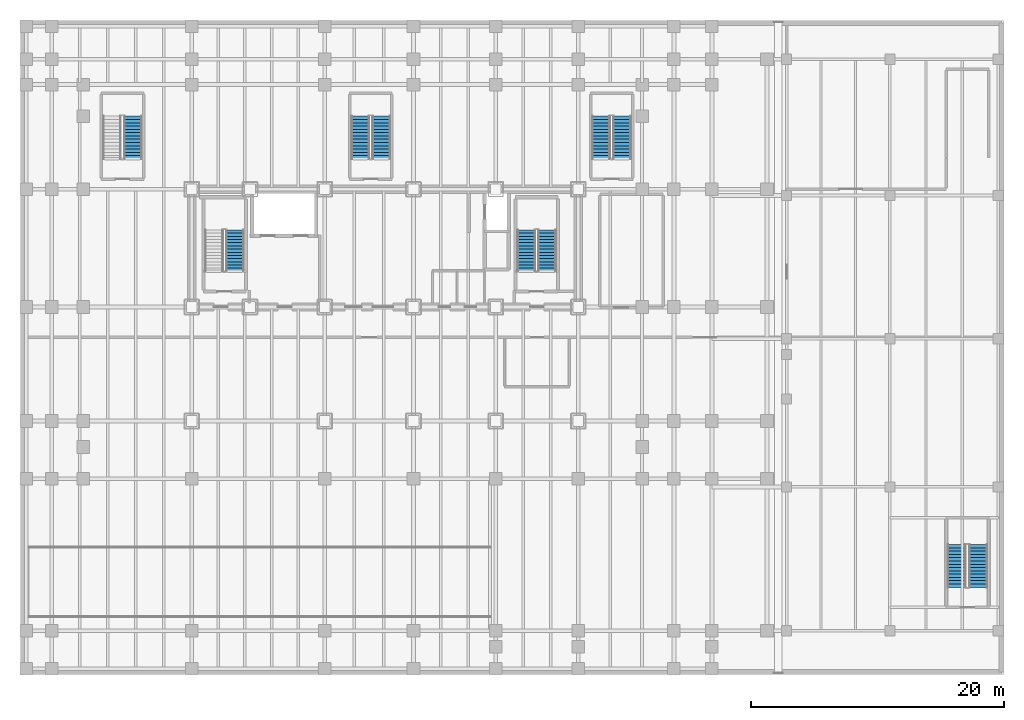
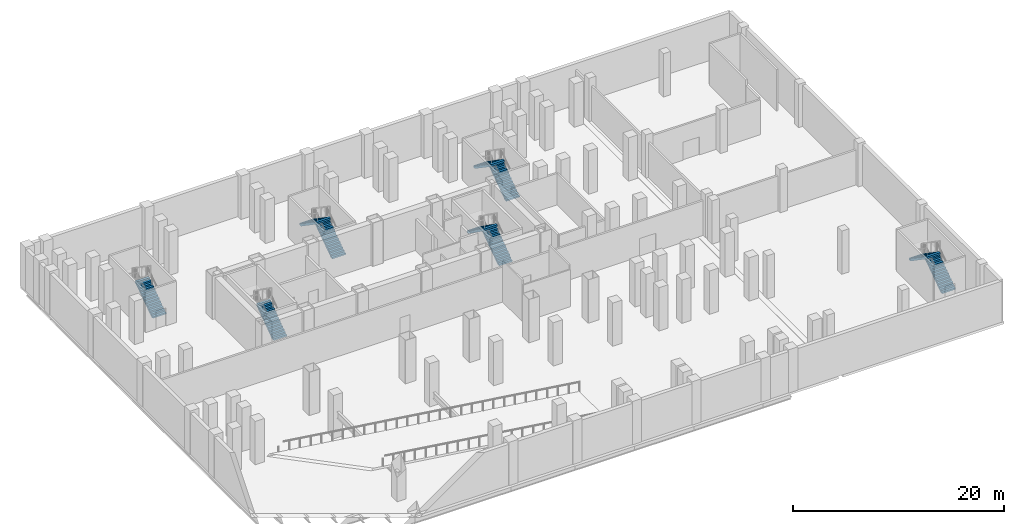
# One storey, part 11 of 18: 10 stair flights, 6 elements without a shape of their own.
"""IFC4 building model written with IfcOpenShell, lengths in metres."""

from ifc_helpers import new_model, si_unit, direction, frame, origin, place, context, subcontext, project, spatial, polyline, outline, extrude, material, type_object, element, aggregate, save


model = new_model("IFC4")

# Units and contexts
model_context = context("Model", 3, precision=1e-05, world=origin(), true_north=direction((0.0, 1.0)))
body_context = subcontext(model_context, "Body", "Model", "MODEL_VIEW")
ifc_project = project(units=[si_unit("LENGTHUNIT", "METRE"), si_unit("AREAUNIT", "SQUARE_METRE"), si_unit("VOLUMEUNIT", "CUBIC_METRE"), si_unit("PLANEANGLEUNIT", "RADIAN"), si_unit("MASSUNIT", "GRAM", prefix="KILO")], contexts=[model_context])

# Site, building, storey
site_placement = place(None, origin())
site = spatial("IfcSite", under=ifc_project, at=site_placement, CompositionType="ELEMENT")
building_placement = place(site_placement, origin())
building = spatial("IfcBuilding", under=site, at=building_placement, Name="Noeulbin Bourse Tower", CompositionType="ELEMENT")
storey_placement = place(building_placement, frame((0.0, 0.0, -5.0)))
storey = spatial("IfcBuildingStorey", under=building, at=storey_placement, Name="B01", CompositionType="ELEMENT", Elevation=-5.0)

# Stair, stair flight
ifc_material = material(Name="Concrete C40/50", Category="concrete")
stair_type_1 = type_object("IfcStairType", Name="STR-AUX-1620", PredefinedType="HALF_TURN_STAIR", material=ifc_material)
stair_1_placement = place(storey_placement, origin())
stair_1 = element("IfcStair", 1, at=stair_1_placement, inside=storey, type_object=stair_type_1, Name="B01 ST-S1", PredefinedType="HALF_TURN_STAIR")
stair_flight_type_1 = type_object("IfcStairFlightType", Name="SFL-AUX-1620", PredefinedType="STRAIGHT", material=ifc_material)
stair_flight_1_placement = place(storey_placement, frame((8.8701171875, 40.679931640625, 0.0), z_axis=(0.0, 0.0, 1.0), x_axis=(0.0, 1.0, 0.0)))
stair_flight_1 = element("IfcStairFlight", 2, at=stair_flight_1_placement, type_object=stair_flight_type_1, Name="ST-S1 flight 1", NumberOfRisers=14, NumberOfTreads=13, PredefinedType="STRAIGHT", RiserHeight=0.178571429, TreadLength=0.26, context=body_context, shape_type="SweptSolid", body=[
    extrude(outline(polyline([(0.0, 0.0), (0.0, 0.178466796875), (0.260009765625, 0.178466796875), (0.260009765625, 0.357177734375), (0.52001953125, 0.357177734375), (0.52001953125, 0.53564453125), (0.780029296875, 0.53564453125), (0.780029296875, 0.71435546875), (1.0400390625, 0.71435546875), (1.0400390625, 0.892822265625), (1.300048828125, 0.892822265625), (1.300048828125, 1.071533203125), (1.56005859375, 1.071533203125), (1.56005859375, 1.25), (1.820068359375, 1.25), (1.820068359375, 1.428466796875), (2.080078125, 1.428466796875), (2.080078125, 1.607177734375), (2.340087890625, 1.607177734375), (2.340087890625, 1.78564453125), (2.60009765625, 1.78564453125), (2.60009765625, 1.96435546875), (2.860107421875, 1.96435546875), (2.860107421875, 2.142822265625), (3.1201171875, 2.142822265625), (3.1201171875, 2.321533203125), (3.3798828125, 2.321533203125), (3.3798828125, 2.5), (3.3798828125, 2.10302734375), (0.31787109375, 0.0), (0.0, 0.0)])), frame((0.0, 0.72998046875, 0.0), z_axis=(0.0, -1.0, 0.0), x_axis=(1.0, 0.0, 0.0)), (0.0, 0.0, 1.0), 1.4599609375),
])
aggregate(stair_1, [stair_flight_1])

# Stair, stair flights
stair_2_placement = place(storey_placement, origin())
stair_2 = element("IfcStair", 3, at=stair_2_placement, inside=storey, type_object=stair_type_1, Name="B01 ST-S2", PredefinedType="HALF_TURN_STAIR")
stair_flight_2_placement = place(storey_placement, frame((28.469970703125, 40.679931640625, 0.0), z_axis=(0.0, 0.0, 1.0), x_axis=(0.0, 1.0, 0.0)))
stair_flight_2 = element("IfcStairFlight", 4, at=stair_flight_2_placement, type_object=stair_flight_type_1, Name="ST-S2 flight 1", NumberOfRisers=14, NumberOfTreads=13, PredefinedType="STRAIGHT", RiserHeight=0.178571429, TreadLength=0.26, context=body_context, shape_type="SweptSolid", body=[
    extrude(outline(polyline([(0.0, 0.0), (0.0, 0.178466796875), (0.260009765625, 0.178466796875), (0.260009765625, 0.357177734375), (0.52001953125, 0.357177734375), (0.52001953125, 0.53564453125), (0.780029296875, 0.53564453125), (0.780029296875, 0.71435546875), (1.0400390625, 0.71435546875), (1.0400390625, 0.892822265625), (1.300048828125, 0.892822265625), (1.300048828125, 1.071533203125), (1.56005859375, 1.071533203125), (1.56005859375, 1.25), (1.820068359375, 1.25), (1.820068359375, 1.428466796875), (2.080078125, 1.428466796875), (2.080078125, 1.607177734375), (2.340087890625, 1.607177734375), (2.340087890625, 1.78564453125), (2.60009765625, 1.78564453125), (2.60009765625, 1.96435546875), (2.860107421875, 1.96435546875), (2.860107421875, 2.142822265625), (3.1201171875, 2.142822265625), (3.1201171875, 2.321533203125), (3.3798828125, 2.321533203125), (3.3798828125, 2.5), (3.3798828125, 2.10302734375), (0.31787109375, 0.0), (0.0, 0.0)])), frame((0.0, 0.72998046875, 0.0), z_axis=(0.0, -1.0, 0.0), x_axis=(1.0, 0.0, 0.0)), (0.0, 0.0, 1.0), 1.4599609375),
])
stair_flight_3_placement = place(storey_placement, frame((26.81005859375, 44.06005859375, 2.5), z_axis=(0.0, 0.0, 1.0), x_axis=(0.0, -1.0, 0.0)))
stair_flight_3 = element("IfcStairFlight", 5, at=stair_flight_3_placement, type_object=stair_flight_type_1, Name="ST-S2 flight 2", NumberOfRisers=14, NumberOfTreads=13, PredefinedType="STRAIGHT", RiserHeight=0.178571429, TreadLength=0.26, context=body_context, shape_type="SweptSolid", body=[
    extrude(outline(polyline([(0.0, 0.0), (0.0, 0.178466796875), (0.260009765625, 0.178466796875), (0.260009765625, 0.357177734375), (0.52001953125, 0.357177734375), (0.52001953125, 0.53564453125), (0.780029296875, 0.53564453125), (0.780029296875, 0.71435546875), (1.0400390625, 0.71435546875), (1.0400390625, 0.892822265625), (1.300048828125, 0.892822265625), (1.300048828125, 1.071533203125), (1.56005859375, 1.071533203125), (1.56005859375, 1.25), (1.820068359375, 1.25), (1.820068359375, 1.428466796875), (2.080078125, 1.428466796875), (2.080078125, 1.607177734375), (2.340087890625, 1.607177734375), (2.340087890625, 1.78564453125), (2.60009765625, 1.78564453125), (2.60009765625, 1.96435546875), (2.860107421875, 1.96435546875), (2.860107421875, 2.142822265625), (3.1201171875, 2.142822265625), (3.1201171875, 2.321533203125), (3.3798828125, 2.321533203125), (3.3798828125, 2.5), (3.3798828125, 2.10302734375), (0.31787109375, 0.0), (0.0, 0.0)])), frame((0.0, 0.72998046875, 0.0), z_axis=(0.0, -1.0, 0.0), x_axis=(1.0, 0.0, 0.0)), (0.0, 0.0, 1.0), 1.4599609375),
])
aggregate(stair_2, [stair_flight_2, stair_flight_3])

stair_3_placement = place(storey_placement, origin())
stair_3 = element("IfcStair", 6, at=stair_3_placement, inside=storey, type_object=stair_type_1, Name="B01 ST-S3", PredefinedType="HALF_TURN_STAIR")
stair_flight_4_placement = place(storey_placement, frame((47.469970703125, 40.679931640625, 0.0), z_axis=(0.0, 0.0, 1.0), x_axis=(0.0, 1.0, 0.0)))
stair_flight_4 = element("IfcStairFlight", 7, at=stair_flight_4_placement, type_object=stair_flight_type_1, Name="ST-S3 flight 1", NumberOfRisers=14, NumberOfTreads=13, PredefinedType="STRAIGHT", RiserHeight=0.178571429, TreadLength=0.26, context=body_context, shape_type="SweptSolid", body=[
    extrude(outline(polyline([(0.0, 0.0), (0.0, 0.178466796875), (0.260009765625, 0.178466796875), (0.260009765625, 0.357177734375), (0.52001953125, 0.357177734375), (0.52001953125, 0.53564453125), (0.780029296875, 0.53564453125), (0.780029296875, 0.71435546875), (1.0400390625, 0.71435546875), (1.0400390625, 0.892822265625), (1.300048828125, 0.892822265625), (1.300048828125, 1.071533203125), (1.56005859375, 1.071533203125), (1.56005859375, 1.25), (1.820068359375, 1.25), (1.820068359375, 1.428466796875), (2.080078125, 1.428466796875), (2.080078125, 1.607177734375), (2.340087890625, 1.607177734375), (2.340087890625, 1.78564453125), (2.60009765625, 1.78564453125), (2.60009765625, 1.96435546875), (2.860107421875, 1.96435546875), (2.860107421875, 2.142822265625), (3.1201171875, 2.142822265625), (3.1201171875, 2.321533203125), (3.3798828125, 2.321533203125), (3.3798828125, 2.5), (3.3798828125, 2.10302734375), (0.31787109375, 0.0), (0.0, 0.0)])), frame((0.0, 0.72998046875, 0.0), z_axis=(0.0, -1.0, 0.0), x_axis=(1.0, 0.0, 0.0)), (0.0, 0.0, 1.0), 1.4599609375),
])
stair_flight_5_placement = place(storey_placement, frame((45.81005859375, 44.06005859375, 2.5), z_axis=(0.0, 0.0, 1.0), x_axis=(0.0, -1.0, 0.0)))
stair_flight_5 = element("IfcStairFlight", 8, at=stair_flight_5_placement, type_object=stair_flight_type_1, Name="ST-S3 flight 2", NumberOfRisers=14, NumberOfTreads=13, PredefinedType="STRAIGHT", RiserHeight=0.178571429, TreadLength=0.26, context=body_context, shape_type="SweptSolid", body=[
    extrude(outline(polyline([(0.0, 0.0), (0.0, 0.178466796875), (0.260009765625, 0.178466796875), (0.260009765625, 0.357177734375), (0.52001953125, 0.357177734375), (0.52001953125, 0.53564453125), (0.780029296875, 0.53564453125), (0.780029296875, 0.71435546875), (1.0400390625, 0.71435546875), (1.0400390625, 0.892822265625), (1.300048828125, 0.892822265625), (1.300048828125, 1.071533203125), (1.56005859375, 1.071533203125), (1.56005859375, 1.25), (1.820068359375, 1.25), (1.820068359375, 1.428466796875), (2.080078125, 1.428466796875), (2.080078125, 1.607177734375), (2.340087890625, 1.607177734375), (2.340087890625, 1.78564453125), (2.60009765625, 1.78564453125), (2.60009765625, 1.96435546875), (2.860107421875, 1.96435546875), (2.860107421875, 2.142822265625), (3.1201171875, 2.142822265625), (3.1201171875, 2.321533203125), (3.3798828125, 2.321533203125), (3.3798828125, 2.5), (3.3798828125, 2.10302734375), (0.31787109375, 0.0), (0.0, 0.0)])), frame((0.0, 0.72998046875, 0.0), z_axis=(0.0, -1.0, 0.0), x_axis=(1.0, 0.0, 0.0)), (0.0, 0.0, 1.0), 1.4599609375),
])
aggregate(stair_3, [stair_flight_4, stair_flight_5])

# Stair, stair flight
stair_type_2 = type_object("IfcStairType", Name="STR-CORE-1560", PredefinedType="HALF_TURN_STAIR", material=ifc_material)
stair_4_placement = place(storey_placement, origin())
stair_4 = element("IfcStair", 9, at=stair_4_placement, inside=storey, type_object=stair_type_2, Name="B01 ST-1", PredefinedType="HALF_TURN_STAIR")
stair_flight_type_2 = type_object("IfcStairFlightType", Name="SFL-CORE-1560", PredefinedType="STRAIGHT", material=ifc_material)
stair_flight_6_placement = place(storey_placement, frame((16.925048828125, 31.81005859375, 0.0), z_axis=(0.0, 0.0, 1.0), x_axis=(0.0, 1.0, 0.0)))
stair_flight_6 = element("IfcStairFlight", 10, at=stair_flight_6_placement, type_object=stair_flight_type_2, Name="ST-1 flight 1", NumberOfRisers=14, NumberOfTreads=13, PredefinedType="STRAIGHT", RiserHeight=0.178571429, TreadLength=0.252, context=body_context, shape_type="SweptSolid", body=[
    extrude(outline(polyline([(0.0, 0.0), (0.0, 0.178466796875), (0.251953125, 0.178466796875), (0.251953125, 0.357177734375), (0.50390625, 0.357177734375), (0.50390625, 0.53564453125), (0.756103515625, 0.53564453125), (0.756103515625, 0.71435546875), (1.008056640625, 0.71435546875), (1.008056640625, 0.892822265625), (1.260009765625, 0.892822265625), (1.260009765625, 1.071533203125), (1.511962890625, 1.071533203125), (1.511962890625, 1.25), (1.763916015625, 1.25), (1.763916015625, 1.428466796875), (2.01611328125, 1.428466796875), (2.01611328125, 1.607177734375), (2.26806640625, 1.607177734375), (2.26806640625, 1.78564453125), (2.52001953125, 1.78564453125), (2.52001953125, 1.96435546875), (2.77197265625, 1.96435546875), (2.77197265625, 2.142822265625), (3.02392578125, 2.142822265625), (3.02392578125, 2.321533203125), (3.27587890625, 2.321533203125), (3.27587890625, 2.5), (3.27587890625, 2.100830078125), (0.311279296875, 0.0), (0.0, 0.0)])), frame((0.0, 0.72509765625, 0.0), z_axis=(0.0, -1.0, 0.0), x_axis=(1.0, 0.0, 0.0)), (0.0, 0.0, 1.0), 1.449951171875),
])
aggregate(stair_4, [stair_flight_6])

# Stair, stair flights
stair_5_placement = place(storey_placement, origin())
stair_5 = element("IfcStair", 11, at=stair_5_placement, inside=storey, type_object=stair_type_2, Name="B01 ST-2", PredefinedType="HALF_TURN_STAIR")
stair_flight_7_placement = place(storey_placement, frame((41.554931640625, 31.81005859375, 0.0), z_axis=(0.0, 0.0, 1.0), x_axis=(0.0, 1.0, 0.0)))
stair_flight_7 = element("IfcStairFlight", 12, at=stair_flight_7_placement, type_object=stair_flight_type_2, Name="ST-2 flight 1", NumberOfRisers=14, NumberOfTreads=13, PredefinedType="STRAIGHT", RiserHeight=0.178571429, TreadLength=0.252, context=body_context, shape_type="SweptSolid", body=[
    extrude(outline(polyline([(0.0, 0.0), (0.0, 0.178466796875), (0.251953125, 0.178466796875), (0.251953125, 0.357177734375), (0.50390625, 0.357177734375), (0.50390625, 0.53564453125), (0.756103515625, 0.53564453125), (0.756103515625, 0.71435546875), (1.008056640625, 0.71435546875), (1.008056640625, 0.892822265625), (1.260009765625, 0.892822265625), (1.260009765625, 1.071533203125), (1.511962890625, 1.071533203125), (1.511962890625, 1.25), (1.763916015625, 1.25), (1.763916015625, 1.428466796875), (2.01611328125, 1.428466796875), (2.01611328125, 1.607177734375), (2.26806640625, 1.607177734375), (2.26806640625, 1.78564453125), (2.52001953125, 1.78564453125), (2.52001953125, 1.96435546875), (2.77197265625, 1.96435546875), (2.77197265625, 2.142822265625), (3.02392578125, 2.142822265625), (3.02392578125, 2.321533203125), (3.27587890625, 2.321533203125), (3.27587890625, 2.5), (3.27587890625, 2.100830078125), (0.311279296875, 0.0), (0.0, 0.0)])), frame((0.0, 0.72509765625, 0.0), z_axis=(0.0, -1.0, 0.0), x_axis=(1.0, 0.0, 0.0)), (0.0, 0.0, 1.0), 1.449951171875),
])
stair_flight_8_placement = place(storey_placement, frame((39.905029296875, 35.0859375, 2.5), z_axis=(0.0, 0.0, 1.0), x_axis=(0.0, -1.0, 0.0)))
stair_flight_8 = element("IfcStairFlight", 13, at=stair_flight_8_placement, type_object=stair_flight_type_2, Name="ST-2 flight 2", NumberOfRisers=14, NumberOfTreads=13, PredefinedType="STRAIGHT", RiserHeight=0.178571429, TreadLength=0.252, context=body_context, shape_type="SweptSolid", body=[
    extrude(outline(polyline([(0.0, 0.0), (0.0, 0.178466796875), (0.251953125, 0.178466796875), (0.251953125, 0.357177734375), (0.50390625, 0.357177734375), (0.50390625, 0.53564453125), (0.756103515625, 0.53564453125), (0.756103515625, 0.71435546875), (1.008056640625, 0.71435546875), (1.008056640625, 0.892822265625), (1.260009765625, 0.892822265625), (1.260009765625, 1.071533203125), (1.511962890625, 1.071533203125), (1.511962890625, 1.25), (1.763916015625, 1.25), (1.763916015625, 1.428466796875), (2.01611328125, 1.428466796875), (2.01611328125, 1.607177734375), (2.26806640625, 1.607177734375), (2.26806640625, 1.78564453125), (2.52001953125, 1.78564453125), (2.52001953125, 1.96435546875), (2.77197265625, 1.96435546875), (2.77197265625, 2.142822265625), (3.02392578125, 2.142822265625), (3.02392578125, 2.321533203125), (3.27587890625, 2.321533203125), (3.27587890625, 2.5), (3.27587890625, 2.100830078125), (0.311279296875, 0.0), (0.0, 0.0)])), frame((0.0, 0.72509765625, 0.0), z_axis=(0.0, -1.0, 0.0), x_axis=(1.0, 0.0, 0.0)), (0.0, 0.0, 1.0), 1.449951171875),
])
aggregate(stair_5, [stair_flight_7, stair_flight_8])

stair_type_3 = type_object("IfcStairType", Name="STR-MKT-1480", PredefinedType="HALF_TURN_STAIR", material=ifc_material)
stair_6_placement = place(storey_placement, origin())
stair_6 = element("IfcStair", 14, at=stair_6_placement, inside=storey, type_object=stair_type_3, Name="B01 MST-1", PredefinedType="HALF_TURN_STAIR")
stair_flight_type_3 = type_object("IfcStairFlightType", Name="SFL-MKT-1480", PredefinedType="STRAIGHT", material=ifc_material)
stair_flight_9_placement = place(storey_placement, frame((75.56005859375, 6.8798828125, 0.0), z_axis=(0.0, 0.0, 1.0), x_axis=(0.0, 1.0, 0.0)))
stair_flight_9 = element("IfcStairFlight", 15, at=stair_flight_9_placement, type_object=stair_flight_type_3, Name="MST-1 flight 1", NumberOfRisers=14, NumberOfTreads=13, PredefinedType="STRAIGHT", RiserHeight=0.178571429, TreadLength=0.26, context=body_context, shape_type="SweptSolid", body=[
    extrude(outline(polyline([(0.0, 0.0), (0.0, 0.178466796875), (0.260009765625, 0.178466796875), (0.260009765625, 0.357177734375), (0.52001953125, 0.357177734375), (0.52001953125, 0.53564453125), (0.780029296875, 0.53564453125), (0.780029296875, 0.71435546875), (1.0400390625, 0.71435546875), (1.0400390625, 0.892822265625), (1.300048828125, 0.892822265625), (1.300048828125, 1.071533203125), (1.56005859375, 1.071533203125), (1.56005859375, 1.25), (1.820068359375, 1.25), (1.820068359375, 1.428466796875), (2.080078125, 1.428466796875), (2.080078125, 1.607177734375), (2.340087890625, 1.607177734375), (2.340087890625, 1.78564453125), (2.60009765625, 1.78564453125), (2.60009765625, 1.96435546875), (2.860107421875, 1.96435546875), (2.860107421875, 2.142822265625), (3.1201171875, 2.142822265625), (3.1201171875, 2.321533203125), (3.3798828125, 2.321533203125), (3.3798828125, 2.5), (3.3798828125, 2.10302734375), (0.31787109375, 0.0), (0.0, 0.0)])), frame((0.0, 0.739990234375, 0.0), z_axis=(0.0, -1.0, 0.0), x_axis=(1.0, 0.0, 0.0)), (0.0, 0.0, 1.0), 1.47998046875),
])
stair_flight_10_placement = place(storey_placement, frame((73.8798828125, 10.260009765625, 2.5), z_axis=(0.0, 0.0, 1.0), x_axis=(0.0, -1.0, 0.0)))
stair_flight_10 = element("IfcStairFlight", 16, at=stair_flight_10_placement, type_object=stair_flight_type_3, Name="MST-1 flight 2", NumberOfRisers=14, NumberOfTreads=13, PredefinedType="STRAIGHT", RiserHeight=0.178571429, TreadLength=0.26, context=body_context, shape_type="SweptSolid", body=[
    extrude(outline(polyline([(0.0, 0.0), (0.0, 0.178466796875), (0.260009765625, 0.178466796875), (0.260009765625, 0.357177734375), (0.52001953125, 0.357177734375), (0.52001953125, 0.53564453125), (0.780029296875, 0.53564453125), (0.780029296875, 0.71435546875), (1.0400390625, 0.71435546875), (1.0400390625, 0.892822265625), (1.300048828125, 0.892822265625), (1.300048828125, 1.071533203125), (1.56005859375, 1.071533203125), (1.56005859375, 1.25), (1.820068359375, 1.25), (1.820068359375, 1.428466796875), (2.080078125, 1.428466796875), (2.080078125, 1.607177734375), (2.340087890625, 1.607177734375), (2.340087890625, 1.78564453125), (2.60009765625, 1.78564453125), (2.60009765625, 1.96435546875), (2.860107421875, 1.96435546875), (2.860107421875, 2.142822265625), (3.1201171875, 2.142822265625), (3.1201171875, 2.321533203125), (3.3798828125, 2.321533203125), (3.3798828125, 2.5), (3.3798828125, 2.10302734375), (0.31787109375, 0.0), (0.0, 0.0)])), frame((0.0, 0.739990234375, 0.0), z_axis=(0.0, -1.0, 0.0), x_axis=(1.0, 0.0, 0.0)), (0.0, 0.0, 1.0), 1.47998046875),
])
aggregate(stair_6, [stair_flight_9, stair_flight_10])

save(model, "model.ifc")
